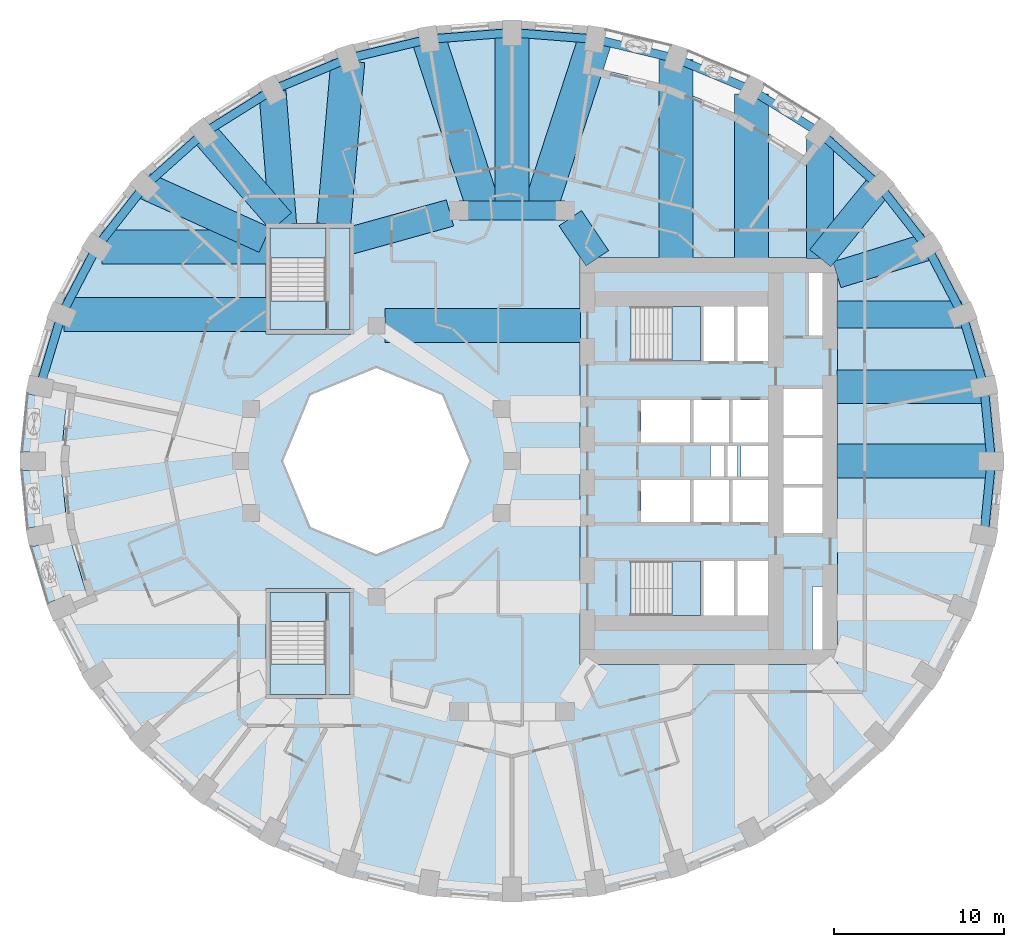
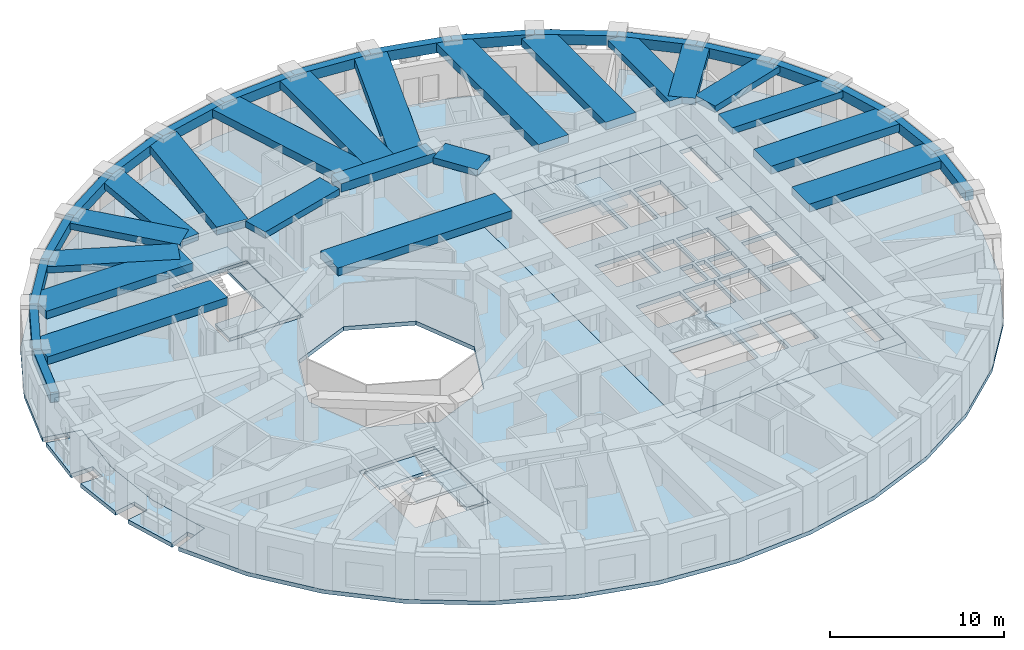
# One storey, part 2 of 14: 39 beams, 11 slabs, 4 elements without a shape of their own.
"""IFC4 building model written with IfcOpenShell, lengths in metres."""

import ifcopenshell
import ifcopenshell.guid

model = None  # the IFC model being written
_history = None  # IfcOwnerHistory: only IFC2X3 demands one
_inside = {}  # id of a spatial element -> (the spatial element, [elements in it])
_under = {}  # id of a project, library or spatial element -> (it, [spatial elements below it])
_declared = {}  # id of a project -> (the project, [libraries it declares])
_typed = {}  # id of a type object -> (the type object, [elements of that type])
_made_of = {}  # id of a material, layer set ... -> (it, [elements and type objects made of it])


def new_model(schema):
    """Start an empty IFC model of exactly this schema.

    Asked for "IFC4X3", IfcOpenShell would pick the latest addendum, in which some entities
    have other attributes; the version numbers below select the first issue.
    IFC2X3 requires an IfcOwnerHistory on every rooted entity: one is made here for all.
    """
    global model, _history
    if schema == "IFC4X3":
        model = ifcopenshell.file(schema_version=(4, 3, 0, 0))
    else:
        model = ifcopenshell.file(schema=schema)
    _inside.clear()
    _under.clear()
    _declared.clear()
    _typed.clear()
    _made_of.clear()
    _history = None
    if model.schema == "IFC2X3":
        org = make("IfcOrganization", Name="unknown")
        user = make(
            "IfcPersonAndOrganization",
            ThePerson=make("IfcPerson", FamilyName="unknown"),
            TheOrganization=org,
        )
        app = make(
            "IfcApplication",
            ApplicationDeveloper=org,
            Version="unknown",
            ApplicationFullName="unknown",
            ApplicationIdentifier="unknown",
        )
        _history = make(
            "IfcOwnerHistory",
            OwningUser=user,
            OwningApplication=app,
            ChangeAction="ADDED",
            CreationDate=0,
        )
    return model


def make(cls, **values):
    """One entity of the class cls with the attributes given. An attribute that is None is left unset."""
    return model.create_entity(
        cls, **{name: value for name, value in values.items() if value is not None}
    )


def rooted(cls, **values):
    """An entity with a GlobalId (a new one), such as an element, a storey or a relation."""
    return make(cls, GlobalId=ifcopenshell.guid.new(), OwnerHistory=_history, **values)


def si_unit(unit_type, name, prefix=None):
    """IfcSIUnit, for example si_unit("LENGTHUNIT", "METRE", prefix="MILLI")."""
    return make("IfcSIUnit", UnitType=unit_type, Prefix=prefix, Name=name)


def assignment(units):
    """IfcUnitAssignment: the units of a project."""
    return None if units is None else make("IfcUnitAssignment", Units=units)


def point(xyz):
    """IfcCartesianPoint."""
    return None if xyz is None else make("IfcCartesianPoint", Coordinates=xyz)


def direction(xyz):
    """IfcDirection."""
    return None if xyz is None else make("IfcDirection", DirectionRatios=xyz)


def frame(location, z_axis=None, x_axis=None):
    """IfcAxis2Placement3D, a coordinate frame: its origin and axes. An axis left out is left unset."""
    return make(
        "IfcAxis2Placement3D",
        Location=point(location),
        Axis=direction(z_axis),
        RefDirection=direction(x_axis),
    )


def frame_2d(location, x_axis=None):
    """IfcAxis2Placement2D, a coordinate frame in the plane: its origin and x axis."""
    return make(
        "IfcAxis2Placement2D", Location=point(location), RefDirection=direction(x_axis)
    )


def origin():
    """The frame at (0, 0, 0) with its axes left unset."""
    return frame((0.0, 0.0, 0.0))


def origin_2d():
    """The frame at (0, 0) in the plane with its x axis left unset."""
    return frame_2d((0.0, 0.0))


def place(relative_to, where):
    """IfcLocalPlacement: puts the frame where relative to a parent placement (None: the world)."""
    return make(
        "IfcLocalPlacement", PlacementRelTo=relative_to, RelativePlacement=where
    )


def context(
    kind, dimensions, precision=None, world=None, true_north=None, identifier=None
):
    """IfcGeometricRepresentationContext, for example the 3D "Model" context."""
    return make(
        "IfcGeometricRepresentationContext",
        ContextIdentifier=identifier,
        ContextType=kind,
        CoordinateSpaceDimension=dimensions,
        Precision=precision,
        WorldCoordinateSystem=world,
        TrueNorth=true_north,
    )


def subcontext(parent, identifier, kind, view, scale=None):
    """IfcGeometricRepresentationSubContext, for example "Body" below "Model"."""
    return make(
        "IfcGeometricRepresentationSubContext",
        ContextIdentifier=identifier,
        ContextType=kind,
        ParentContext=parent,
        TargetScale=scale,
        TargetView=view,
    )


def project(units=None, contexts=None):
    """IfcProject with its units and contexts."""
    return rooted(
        "IfcProject",
        Name="project",
        RepresentationContexts=contexts,
        UnitsInContext=assignment(units),
    )


def spatial(cls, under=None, at=None, **own):
    """A site, building, storey or space (cls), placed at a placement, below another one or the project."""
    s = rooted(cls, ObjectPlacement=at, **own)
    if under is not None:
        _under.setdefault(under.id(), (under, []))[1].append(s)
    return s


def polyline(points):
    """IfcPolyline through the points."""
    return make("IfcPolyline", Points=[point(p) for p in points])


def profile(cls, at=None, kind="AREA", **sizes):
    """A parametric profile (cls). Its sizes go by their IFC names, for example OverallWidth=200.0."""
    return make(cls, ProfileType=kind, Position=at, **sizes)


def rectangle(**sizes):
    """IfcRectangleProfileDef."""
    return profile("IfcRectangleProfileDef", **sizes)


def outline(outer, holes=None, kind="AREA"):
    """IfcArbitraryClosedProfileDef: a profile drawn as a closed curve; with holes, ...WithVoids."""
    if holes is None:
        return make("IfcArbitraryClosedProfileDef", ProfileType=kind, OuterCurve=outer)
    return make(
        "IfcArbitraryProfileDefWithVoids",
        ProfileType=kind,
        OuterCurve=outer,
        InnerCurves=holes,
    )


def extrude(swept, where, along, depth):
    """IfcExtrudedAreaSolid: the profile swept, set in the frame where, extruded along a direction by depth."""
    return make(
        "IfcExtrudedAreaSolid",
        SweptArea=swept,
        Position=where,
        ExtrudedDirection=direction(along),
        Depth=depth,
    )


def shape(context_of_items, identifier, shape_type, items):
    """IfcShapeRepresentation: the items that make up one representation, for example the "Body"."""
    return make(
        "IfcShapeRepresentation",
        ContextOfItems=context_of_items,
        RepresentationIdentifier=identifier,
        RepresentationType=shape_type,
        Items=items,
    )


def material(Name=None, Category=None):
    """IfcMaterial."""
    return make("IfcMaterial", Name=Name, Category=Category)


def layer(
    of_material, thickness, ventilated=None, Name=None, Category=None, Priority=None
):
    """IfcMaterialLayer: one layer of a wall or slab, of a material (None: an air gap)."""
    return make(
        "IfcMaterialLayer",
        Material=of_material,
        LayerThickness=thickness,
        IsVentilated=ventilated,
        Name=Name,
        Category=Category,
        Priority=Priority,
    )


def layer_set(layers, Name=None):
    """IfcMaterialLayerSet."""
    return make("IfcMaterialLayerSet", MaterialLayers=layers, LayerSetName=Name)


def material_profile(
    of_material, cross_section, Name=None, Category=None, Priority=None
):
    """IfcMaterialProfile: a cross section and its material."""
    return make(
        "IfcMaterialProfile",
        Name=Name,
        Material=of_material,
        Profile=cross_section,
        Priority=Priority,
        Category=Category,
    )


def profile_set(profiles, Name=None, composite=None):
    """IfcMaterialProfileSet."""
    return make(
        "IfcMaterialProfileSet",
        Name=Name,
        MaterialProfiles=profiles,
        CompositeProfile=composite,
    )


def made_of(thing, what):
    """Note that an element or type object is made of a material, layer set ...; save() writes the relation."""
    if what is not None:
        _made_of.setdefault(what.id(), (what, []))[1].append(thing)
    return thing


def type_object(cls, material=None, **own):
    """A type object (cls), such as IfcWallType, which elements share."""
    return made_of(rooted(cls, **own), material)


def element(
    cls,
    number,
    at=None,
    inside=None,
    cuts=None,
    type_object=None,
    material=None,
    context=None,
    identifier="Body",
    shape_type=None,
    held_by="IfcProductDefinitionShape",
    body=None,
    shapes=None,
    **own,
):
    """One element of the class cls, such as IfcWall. Its Tag is "e" and its number.

    at: its placement. inside: the storey or other place that contains it. cuts: it is an
    opening in that element (IfcRelVoidsElement). A single representation is given by context,
    identifier, shape_type and body (its items); several are given by shapes. held_by: the class
    of the entity that holds the representations. save() writes the other relations.
    """
    e = rooted(cls, Tag="e%d" % number, ObjectPlacement=at, **own)
    if body is not None:
        shapes = [shape(context, identifier, shape_type, body)]
    if shapes is not None:
        e.Representation = make(held_by, Representations=shapes)
    if inside is not None:
        _inside.setdefault(inside.id(), (inside, []))[1].append(e)
    if cuts is not None:
        rooted(
            "IfcRelVoidsElement", RelatingBuildingElement=cuts, RelatedOpeningElement=e
        )
    if type_object is not None:
        _typed.setdefault(type_object.id(), (type_object, []))[1].append(e)
    return made_of(e, material)


def aggregate(whole, parts):
    """IfcRelAggregates: a whole, such as a stair, and the parts it consists of."""
    return rooted("IfcRelAggregates", RelatingObject=whole, RelatedObjects=parts)


def save(model, path):
    """Write the relations noted so far, then the file.

    IfcRelAggregates (storeys below a building ...), IfcRelContainedInSpatialStructure (elements
    in a storey), IfcRelDefinesByType, IfcRelAssociatesMaterial and IfcRelDeclares: one each for
    every whole, place, type object, material and project.
    """
    for whole, parts in _under.values():
        aggregate(whole, parts)
    for where, things in _inside.values():
        rooted(
            "IfcRelContainedInSpatialStructure",
            RelatedElements=things,
            RelatingStructure=where,
        )
    for kind, things in _typed.values():
        rooted("IfcRelDefinesByType", RelatedObjects=things, RelatingType=kind)
    for what, things in _made_of.values():
        rooted("IfcRelAssociatesMaterial", RelatedObjects=things, RelatingMaterial=what)
    for by, libraries in _declared.values():
        rooted("IfcRelDeclares", RelatingContext=by, RelatedDefinitions=libraries)
    model.write(path)


model = new_model("IFC4")

# Units and contexts
model_context = context("Model", 3, precision=1e-05, world=origin(), true_north=direction((0.0, 1.0)))
body_context = subcontext(model_context, "Body", "Model", "MODEL_VIEW")
ifc_project = project(units=[si_unit("LENGTHUNIT", "METRE"), si_unit("AREAUNIT", "SQUARE_METRE"), si_unit("VOLUMEUNIT", "CUBIC_METRE"), si_unit("PLANEANGLEUNIT", "RADIAN"), si_unit("MASSUNIT", "GRAM", prefix="KILO")], contexts=[model_context])

# Site, building, storey
site_placement = place(None, origin())
site = spatial("IfcSite", under=ifc_project, at=site_placement, CompositionType="ELEMENT")
building_placement = place(site_placement, origin())
building = spatial("IfcBuilding", under=site, at=building_placement, Name="Taillehof Tower", CompositionType="ELEMENT")
storey_placement = place(building_placement, frame((0.0, 0.0, 28.300048828125)))
storey = spatial("IfcBuildingStorey", under=building, at=storey_placement, Name="L06", CompositionType="ELEMENT", Elevation=28.300048828125)

# Beams
ifc_material_1 = material(Name="Concrete C50/60", Category="concrete")
ifc_material_profile_1 = material_profile(ifc_material_1, rectangle(XDim=1.10009765625, YDim=0.60009765625, at=origin_2d()), Name="RC 1100x600")
ifc_profile_set_1 = profile_set([ifc_material_profile_1], Name="Concrete C50/60")
beam_type_1 = type_object("IfcBeamType", Name="Mid-ring beam C50/60 1100x600", PredefinedType="BEAM", material=ifc_profile_set_1)
beam_1_placement = place(storey_placement, frame((3.125732421875, 14.772216796875, 2.719970703125), z_axis=(-1.0, 0.0, 0.0), x_axis=(0.0, -1.0, 0.0)))
element("IfcBeam", 1, at=beam_1_placement, inside=storey, type_object=beam_type_1, Name="Mid-ring beam MB01", PredefinedType="BEAM", context=body_context, shape_type="SweptSolid", body=[
    extrude(rectangle(XDim=1.10009765625, YDim=0.60009765625, at=origin_2d()), origin(), (0.0, 0.0, 1.0), 6.25146484375),
])
ifc_material_2 = material(Name="Concrete C50/60", Category="concrete")
ifc_material_profile_2 = material_profile(ifc_material_2, rectangle(XDim=1.60009765625, YDim=0.449951171875, at=origin_2d()), Name="RC 1600x450")
ifc_profile_set_2 = profile_set([ifc_material_profile_2], Name="Concrete C50/60")
beam_type_2 = type_object("IfcBeamType", Name="Radial band beam C50/60 1600x450", PredefinedType="BEAM", material=ifc_profile_set_2)
beam_2_placement = place(storey_placement, frame((26.490478515625, 8.635986328125, 2.794921875), z_axis=(-1.0, 0.0, 0.0), x_axis=(0.0, -1.0, 0.0)))
element("IfcBeam", 2, at=beam_2_placement, inside=storey, type_object=beam_type_2, Name="Radial band beam RB03", PredefinedType="BEAM", context=body_context, shape_type="SweptSolid", body=[
    extrude(rectangle(XDim=1.60009765625, YDim=0.449951171875, at=origin_2d()), origin(), (0.0, 0.0, 1.0), 7.340576171875),
])
beam_3_placement = place(storey_placement, frame((24.46533203125, 12.625, 2.794921875), z_axis=(-0.955535654338, -0.294875589511, 0.0), x_axis=(0.294875589511, -0.955535654338, 0.0)))
element("IfcBeam", 3, at=beam_3_placement, inside=storey, type_object=beam_type_2, Name="Radial band beam RB04", PredefinedType="BEAM", context=body_context, shape_type="SweptSolid", body=[
    extrude(rectangle(XDim=1.60009765625, YDim=0.449951171875, at=origin_2d()), origin(), (0.0, 0.0, 1.0), 5.560546875),
])
beam_4_placement = place(storey_placement, frame((21.640869140625, 16.23046875, 2.794921875), z_axis=(-0.630988373846, -0.775792286679, 0.0), x_axis=(0.775792286679, -0.630988373846, 0.0)))
element("IfcBeam", 4, at=beam_4_placement, inside=storey, type_object=beam_type_2, Name="Radial band beam RB05", PredefinedType="BEAM", context=body_context, shape_type="SweptSolid", body=[
    extrude(rectangle(XDim=1.60009765625, YDim=0.449951171875, at=origin_2d()), origin(), (0.0, 0.0, 1.0), 5.503173828125),
])
beam_5_placement = place(storey_placement, frame((18.15869140625, 19.05517578125, 2.794921875), z_axis=(0.0, -1.0, 0.0), x_axis=(1.0, 0.0, 0.0)))
element("IfcBeam", 5, at=beam_5_placement, inside=storey, type_object=beam_type_2, Name="Radial band beam RB06", PredefinedType="BEAM", context=body_context, shape_type="SweptSolid", body=[
    extrude(rectangle(XDim=1.60009765625, YDim=0.449951171875, at=origin_2d()), origin(), (0.0, 0.0, 1.0), 7.105224609375),
])
beam_6_placement = place(storey_placement, frame((-14.119873046875, 21.802978515625, 2.794921875), z_axis=(0.079184740988, -0.996859958467, 0.0), x_axis=(0.996859958467, 0.079184740988, 0.0)))
element("IfcBeam", 6, at=beam_6_placement, inside=storey, type_object=beam_type_2, Name="Radial band beam RB13", PredefinedType="BEAM", context=body_context, shape_type="SweptSolid", body=[
    extrude(rectangle(XDim=1.60009765625, YDim=0.449951171875, at=origin_2d()), origin(), (0.0, 0.0, 1.0), 7.87744140625),
])
beam_7_placement = place(storey_placement, frame((-18.15869140625, 19.342529296875, 2.794921875), z_axis=(0.65721824087, -0.753700327628, 0.0), x_axis=(0.753700327628, 0.65721824087, 0.0)))
element("IfcBeam", 7, at=beam_7_placement, inside=storey, type_object=beam_type_2, Name="Radial band beam RB14", PredefinedType="BEAM", context=body_context, shape_type="SweptSolid", body=[
    extrude(rectangle(XDim=1.60009765625, YDim=0.449951171875, at=origin_2d()), origin(), (0.0, 0.0, 1.0), 6.9384765625),
])
beam_8_placement = place(storey_placement, frame((-21.632568359375, 16.226806640625, 2.794921875), z_axis=(0.911100590789, -0.412184077161, 0.0), x_axis=(0.412184077161, 0.911100590789, 0.0)))
element("IfcBeam", 8, at=beam_8_placement, inside=storey, type_object=beam_type_2, Name="Radial band beam RB15", PredefinedType="BEAM", context=body_context, shape_type="SweptSolid", body=[
    extrude(rectangle(XDim=1.60009765625, YDim=0.449951171875, at=origin_2d()), origin(), (0.0, 0.0, 1.0), 7.740966796875),
])
beam_9_placement = place(storey_placement, frame((3.433837890625, 14.31640625, 2.794921875), z_axis=(0.560112043398, -0.828416862962, 0.0), x_axis=(0.828416862962, 0.560112043398, 0.0)))
element("IfcBeam", 9, at=beam_9_placement, inside=storey, type_object=beam_type_2, Name="Inner band beam IB205", PredefinedType="BEAM", context=body_context, shape_type="SweptSolid", body=[
    extrude(rectangle(XDim=1.60009765625, YDim=0.449951171875, at=origin_2d()), origin(), (0.0, 0.0, 1.0), 2.84619140625),
])
beam_10_placement = place(storey_placement, frame((-3.655517578125, 14.624755859375, 2.794921875), z_axis=(-0.963459369536, -0.267854518821, 0.0), x_axis=(0.267854518821, -0.963459369536, 0.0)))
element("IfcBeam", 10, at=beam_10_placement, inside=storey, type_object=beam_type_2, Name="Inner band beam IB206", PredefinedType="BEAM", context=body_context, shape_type="SweptSolid", body=[
    extrude(rectangle(XDim=1.60009765625, YDim=0.449951171875, at=origin_2d()), origin(), (0.0, 0.0, 1.0), 6.096923828125),
])
ifc_material_3 = material(Name="Concrete C50/60", Category="concrete")
ifc_material_profile_3 = material_profile(ifc_material_3, rectangle(XDim=2.0, YDim=0.550048828125, at=origin_2d()), Name="RC 2000x550")
ifc_profile_set_3 = profile_set([ifc_material_profile_3], Name="Concrete C50/60")
beam_type_3 = type_object("IfcBeamType", Name="Radial band beam C50/60 2000x550", PredefinedType="BEAM", material=ifc_profile_set_3)
beam_11_placement = place(storey_placement, frame((28.25, 0.0, 2.744873046875), z_axis=(-1.0, 0.0, 0.0), x_axis=(0.0, -1.0, 0.0)))
element("IfcBeam", 11, at=beam_11_placement, inside=storey, type_object=beam_type_3, Name="Radial band beam RB01", PredefinedType="BEAM", context=body_context, shape_type="SweptSolid", body=[
    extrude(rectangle(XDim=2.0, YDim=0.550048828125, at=origin_2d()), origin(), (0.0, 0.0, 1.0), 9.10009765625),
])
beam_12_placement = place(storey_placement, frame((27.82080078125, 4.384521484375, 2.744873046875), z_axis=(-1.0, 0.0, 0.0), x_axis=(0.0, -1.0, 0.0)))
element("IfcBeam", 12, at=beam_12_placement, inside=storey, type_object=beam_type_3, Name="Radial band beam RB02", PredefinedType="BEAM", context=body_context, shape_type="SweptSolid", body=[
    extrude(rectangle(XDim=2.0, YDim=0.550048828125, at=origin_2d()), origin(), (0.0, 0.0, 1.0), 8.6708984375),
])
beam_13_placement = place(storey_placement, frame((14.125, 21.63232421875, 2.744873046875), z_axis=(0.0, -1.0, 0.0), x_axis=(1.0, 0.0, 0.0)))
element("IfcBeam", 13, at=beam_13_placement, inside=storey, type_object=beam_type_3, Name="Radial band beam RB07", PredefinedType="BEAM", context=body_context, shape_type="SweptSolid", body=[
    extrude(rectangle(XDim=2.0, YDim=0.550048828125, at=origin_2d()), origin(), (0.0, 0.0, 1.0), 9.682373046875),
])
beam_14_placement = place(storey_placement, frame((9.662109375, 23.664794921875, 2.744873046875), z_axis=(0.0, -1.0, 0.0), x_axis=(1.0, 0.0, 0.0)))
element("IfcBeam", 14, at=beam_14_placement, inside=storey, type_object=beam_type_3, Name="Radial band beam RB08", PredefinedType="BEAM", context=body_context, shape_type="SweptSolid", body=[
    extrude(rectangle(XDim=2.0, YDim=0.550048828125, at=origin_2d()), origin(), (0.0, 0.0, 1.0), 11.71484375),
])
beam_15_placement = place(storey_placement, frame((4.905517578125, 24.866455078125, 2.744873046875), z_axis=(-0.309014294595, -0.951057393503, 0.0), x_axis=(0.951057393503, -0.309014294595, 0.0)))
element("IfcBeam", 15, at=beam_15_placement, inside=storey, type_object=beam_type_3, Name="Radial band beam RB09", PredefinedType="BEAM", context=body_context, shape_type="SweptSolid", body=[
    extrude(rectangle(XDim=2.0, YDim=0.550048828125, at=origin_2d()), origin(), (0.0, 0.0, 1.0), 10.61376953125),
])
beam_16_placement = place(storey_placement, frame((0.0, 25.25, 2.744873046875), z_axis=(0.0, -1.0, 0.0), x_axis=(1.0, 0.0, 0.0)))
element("IfcBeam", 16, at=beam_16_placement, inside=storey, type_object=beam_type_3, Name="Radial band beam RB10", PredefinedType="BEAM", context=body_context, shape_type="SweptSolid", body=[
    extrude(rectangle(XDim=2.0, YDim=0.550048828125, at=origin_2d()), origin(), (0.0, 0.0, 1.0), 10.477783203125),
])
beam_17_placement = place(storey_placement, frame((-4.905517578125, 24.866455078125, 2.744873046875), z_axis=(0.309014294595, -0.951057393503, 0.0), x_axis=(0.951057393503, 0.309014294595, 0.0)))
element("IfcBeam", 17, at=beam_17_placement, inside=storey, type_object=beam_type_3, Name="Radial band beam RB11", PredefinedType="BEAM", context=body_context, shape_type="SweptSolid", body=[
    extrude(rectangle(XDim=2.0, YDim=0.550048828125, at=origin_2d()), origin(), (0.0, 0.0, 1.0), 10.61376953125),
])
beam_18_placement = place(storey_placement, frame((-9.675048828125, 23.575927734375, 2.744873046875), z_axis=(-0.085841202752, -0.996308831593, 0.0), x_axis=(0.996308831593, -0.085841202752, 0.0)))
element("IfcBeam", 18, at=beam_18_placement, inside=storey, type_object=beam_type_3, Name="Radial band beam RB12", PredefinedType="BEAM", context=body_context, shape_type="SweptSolid", body=[
    extrude(rectangle(XDim=2.0, YDim=0.550048828125, at=origin_2d()), origin(), (0.0, 0.0, 1.0), 9.661376953125),
])
beam_19_placement = place(storey_placement, frame((-24.172607421875, 12.625, 2.744873046875), z_axis=(1.0, 0.0, 0.0), x_axis=(0.0, 1.0, 0.0)))
element("IfcBeam", 19, at=beam_19_placement, inside=storey, type_object=beam_type_3, Name="Radial band beam RB16", PredefinedType="BEAM", context=body_context, shape_type="SweptSolid", body=[
    extrude(rectangle(XDim=2.0, YDim=0.550048828125, at=origin_2d()), origin(), (0.0, 0.0, 1.0), 9.72265625),
])
beam_20_placement = place(storey_placement, frame((-26.408935546875, 8.635986328125, 2.744873046875), z_axis=(1.0, 0.0, 0.0), x_axis=(0.0, 1.0, 0.0)))
element("IfcBeam", 20, at=beam_20_placement, inside=storey, type_object=beam_type_3, Name="Radial band beam RB17", PredefinedType="BEAM", context=body_context, shape_type="SweptSolid", body=[
    extrude(rectangle(XDim=2.0, YDim=0.550048828125, at=origin_2d()), origin(), (0.0, 0.0, 1.0), 11.958984375),
])
beam_21_placement = place(storey_placement, frame((-7.5, 8.0, 2.744873046875), z_axis=(1.0, 0.0, 0.0), x_axis=(0.0, 1.0, 0.0)))
element("IfcBeam", 21, at=beam_21_placement, inside=storey, type_object=beam_type_3, Name="Inner band beam IB105", PredefinedType="BEAM", context=body_context, shape_type="SweptSolid", body=[
    extrude(rectangle(XDim=2.0, YDim=0.550048828125, at=origin_2d()), origin(), (0.0, 0.0, 1.0), 11.550048828125),
])
ifc_material_4 = material(Name="Concrete C50/60", Category="concrete")
ifc_material_profile_4 = material_profile(ifc_material_4, rectangle(XDim=0.5, YDim=0.699951171875, at=origin_2d()), Name="RC 500x700")
ifc_profile_set_4 = profile_set([ifc_material_profile_4], Name="Concrete C50/60")
beam_type_4 = type_object("IfcBeamType", Name="Spandrel beam C50/60 500x700", PredefinedType="SPANDREL", material=ifc_profile_set_4)
beam_22_placement = place(storey_placement, frame((28.25, 0.0, 2.669921875), z_axis=(-0.097423973567, 0.99524297002, 0.0), x_axis=(-0.99524297002, -0.097423973567, 0.0)))
element("IfcBeam", 22, at=beam_22_placement, inside=storey, type_object=beam_type_4, Name="Spandrel beam SB01", PredefinedType="SPANDREL", context=body_context, shape_type="SweptSolid", body=[
    extrude(rectangle(XDim=0.5, YDim=0.699951171875, at=origin_2d()), origin(), (0.0, 0.0, 1.0), 4.405517578125),
])
beam_23_placement = place(storey_placement, frame((27.82080078125, 4.384521484375, 2.669921875), z_axis=(-0.287135925407, 0.957889847707, 0.0), x_axis=(-0.957889847707, -0.287135925407, 0.0)))
element("IfcBeam", 23, at=beam_23_placement, inside=storey, type_object=beam_type_4, Name="Spandrel beam SB02", PredefinedType="SPANDREL", context=body_context, shape_type="SweptSolid", body=[
    extrude(rectangle(XDim=0.5, YDim=0.699951171875, at=origin_2d()), origin(), (0.0, 0.0, 1.0), 4.4384765625),
])
beam_24_placement = place(storey_placement, frame((26.54638671875, 8.635986328125, 2.669921875), z_axis=(-0.462536335232, 0.886600326297, 0.0), x_axis=(-0.886600326297, -0.462536335232, 0.0)))
element("IfcBeam", 24, at=beam_24_placement, inside=storey, type_object=beam_type_4, Name="Spandrel beam SB03", PredefinedType="SPANDREL", context=body_context, shape_type="SweptSolid", body=[
    extrude(rectangle(XDim=0.5, YDim=0.699951171875, at=origin_2d()), origin(), (0.0, 0.0, 1.0), 4.499267578125),
])
beam_25_placement = place(storey_placement, frame((24.46533203125, 12.625, 2.669921875), z_axis=(-0.616686200373, 0.787209076593, 0.0), x_axis=(-0.787209076593, -0.616686200373, 0.0)))
element("IfcBeam", 25, at=beam_25_placement, inside=storey, type_object=beam_type_4, Name="Spandrel beam SB04", PredefinedType="SPANDREL", context=body_context, shape_type="SweptSolid", body=[
    extrude(rectangle(XDim=0.5, YDim=0.699951171875, at=origin_2d()), origin(), (0.0, 0.0, 1.0), 4.580078125),
])
beam_26_placement = place(storey_placement, frame((21.640869140625, 16.23046875, 2.669921875), z_axis=(-0.745621283614, 0.666369943366, 0.0), x_axis=(-0.666369943366, -0.745621283614, 0.0)))
element("IfcBeam", 26, at=beam_26_placement, inside=storey, type_object=beam_type_4, Name="Spandrel beam SB05", PredefinedType="SPANDREL", context=body_context, shape_type="SweptSolid", body=[
    extrude(rectangle(XDim=0.5, YDim=0.699951171875, at=origin_2d()), origin(), (0.0, 0.0, 1.0), 4.670166015625),
])
beam_27_placement = place(storey_placement, frame((18.15869140625, 19.342529296875, 2.669921875), z_axis=(-0.847658018883, 0.530543007703, 0.0), x_axis=(-0.530543007703, -0.847658018883, 0.0)))
element("IfcBeam", 27, at=beam_27_placement, inside=storey, type_object=beam_type_4, Name="Spandrel beam SB06", PredefinedType="SPANDREL", context=body_context, shape_type="SweptSolid", body=[
    extrude(rectangle(XDim=0.5, YDim=0.699951171875, at=origin_2d()), origin(), (0.0, 0.0, 1.0), 4.758544921875),
])
beam_28_placement = place(storey_placement, frame((14.125, 21.8671875, 2.669921875), z_axis=(-0.923035088053, 0.384715773297, 0.0), x_axis=(-0.384715773297, -0.923035088053, 0.0)))
element("IfcBeam", 28, at=beam_28_placement, inside=storey, type_object=beam_type_4, Name="Spandrel beam SB07", PredefinedType="SPANDREL", context=body_context, shape_type="SweptSolid", body=[
    extrude(rectangle(XDim=0.5, YDim=0.699951171875, at=origin_2d()), origin(), (0.0, 0.0, 1.0), 4.8349609375),
])
beam_29_placement = place(storey_placement, frame((9.662109375, 23.727294921875, 2.669921875), z_axis=(-0.9724995553, 0.232904733616, 0.0), x_axis=(-0.232904733616, -0.9724995553, 0.0)))
element("IfcBeam", 29, at=beam_29_placement, inside=storey, type_object=beam_type_4, Name="Spandrel beam SB08", PredefinedType="SPANDREL", context=body_context, shape_type="SweptSolid", body=[
    extrude(rectangle(XDim=0.5, YDim=0.699951171875, at=origin_2d()), origin(), (0.0, 0.0, 1.0), 4.89111328125),
])
for number, where, z_axis, x_axis, name in (
    (30, (4.905517578125, 24.866455078125, 2.669921875), (-0.996957383661, 0.077948541767, 0.0), (-0.077948541767, -0.996957383661, 0.0), "Spandrel beam SB09"),
    (31, (0.0, 25.25, 2.669921875), (-0.996957383661, -0.077948541767, 0.0), (0.077948541767, -0.996957383661, 0.0), "Spandrel beam SB10"),
):
    element("IfcBeam", number, at=place(storey_placement, frame(where, z_axis=z_axis, x_axis=x_axis)), inside=storey, type_object=beam_type_4, Name=name, PredefinedType="SPANDREL", context=body_context, shape_type="SweptSolid", body=[
        extrude(rectangle(XDim=0.5, YDim=0.699951171875, at=origin_2d()), origin(), (0.0, 0.0, 1.0), 4.92041015625),
    ])
beam_30_placement = place(storey_placement, frame((-4.905517578125, 24.866455078125, 2.669921875), z_axis=(-0.9724995553, -0.232904733616, 0.0), x_axis=(0.232904733616, -0.9724995553, 0.0)))
element("IfcBeam", 32, at=beam_30_placement, inside=storey, type_object=beam_type_4, Name="Spandrel beam SB11", PredefinedType="SPANDREL", context=body_context, shape_type="SweptSolid", body=[
    extrude(rectangle(XDim=0.5, YDim=0.699951171875, at=origin_2d()), origin(), (0.0, 0.0, 1.0), 4.89111328125),
])
beam_31_placement = place(storey_placement, frame((-9.662109375, 23.727294921875, 2.669921875), z_axis=(-0.923035088053, -0.384715773297, 0.0), x_axis=(0.384715773297, -0.923035088053, 0.0)))
element("IfcBeam", 33, at=beam_31_placement, inside=storey, type_object=beam_type_4, Name="Spandrel beam SB12", PredefinedType="SPANDREL", context=body_context, shape_type="SweptSolid", body=[
    extrude(rectangle(XDim=0.5, YDim=0.699951171875, at=origin_2d()), origin(), (0.0, 0.0, 1.0), 4.8349609375),
])
beam_32_placement = place(storey_placement, frame((-14.125, 21.8671875, 2.669921875), z_axis=(-0.847658018883, -0.530543007703, 0.0), x_axis=(0.530543007703, -0.847658018883, 0.0)))
element("IfcBeam", 34, at=beam_32_placement, inside=storey, type_object=beam_type_4, Name="Spandrel beam SB13", PredefinedType="SPANDREL", context=body_context, shape_type="SweptSolid", body=[
    extrude(rectangle(XDim=0.5, YDim=0.699951171875, at=origin_2d()), origin(), (0.0, 0.0, 1.0), 4.758544921875),
])
beam_33_placement = place(storey_placement, frame((-18.15869140625, 19.342529296875, 2.669921875), z_axis=(-0.745621283614, -0.666369943366, 0.0), x_axis=(0.666369943366, -0.745621283614, 0.0)))
element("IfcBeam", 35, at=beam_33_placement, inside=storey, type_object=beam_type_4, Name="Spandrel beam SB14", PredefinedType="SPANDREL", context=body_context, shape_type="SweptSolid", body=[
    extrude(rectangle(XDim=0.5, YDim=0.699951171875, at=origin_2d()), origin(), (0.0, 0.0, 1.0), 4.670166015625),
])
beam_34_placement = place(storey_placement, frame((-21.640869140625, 16.23046875, 2.669921875), z_axis=(-0.616686200373, -0.787209076593, 0.0), x_axis=(0.787209076593, -0.616686200373, 0.0)))
element("IfcBeam", 36, at=beam_34_placement, inside=storey, type_object=beam_type_4, Name="Spandrel beam SB15", PredefinedType="SPANDREL", context=body_context, shape_type="SweptSolid", body=[
    extrude(rectangle(XDim=0.5, YDim=0.699951171875, at=origin_2d()), origin(), (0.0, 0.0, 1.0), 4.580078125),
])
beam_35_placement = place(storey_placement, frame((-24.46533203125, 12.625, 2.669921875), z_axis=(-0.462536335232, -0.886600326297, 0.0), x_axis=(0.886600326297, -0.462536335232, 0.0)))
element("IfcBeam", 37, at=beam_35_placement, inside=storey, type_object=beam_type_4, Name="Spandrel beam SB16", PredefinedType="SPANDREL", context=body_context, shape_type="SweptSolid", body=[
    extrude(rectangle(XDim=0.5, YDim=0.699951171875, at=origin_2d()), origin(), (0.0, 0.0, 1.0), 4.499267578125),
])
beam_36_placement = place(storey_placement, frame((-26.54638671875, 8.635986328125, 2.669921875), z_axis=(-0.287135925407, -0.957889847707, 0.0), x_axis=(0.957889847707, -0.287135925407, 0.0)))
element("IfcBeam", 38, at=beam_36_placement, inside=storey, type_object=beam_type_4, Name="Spandrel beam SB17", PredefinedType="SPANDREL", context=body_context, shape_type="SweptSolid", body=[
    extrude(rectangle(XDim=0.5, YDim=0.699951171875, at=origin_2d()), origin(), (0.0, 0.0, 1.0), 4.4384765625),
])
beam_37_placement = place(storey_placement, frame((27.82080078125, -4.384521484375, 2.669921875), z_axis=(0.097423973567, 0.99524297002, 0.0), x_axis=(-0.99524297002, 0.097423973567, 0.0)))
element("IfcBeam", 39, at=beam_37_placement, inside=storey, type_object=beam_type_4, Name="Spandrel beam SB36", PredefinedType="SPANDREL", context=body_context, shape_type="SweptSolid", body=[
    extrude(rectangle(XDim=0.5, YDim=0.699951171875, at=origin_2d()), origin(), (0.0, 0.0, 1.0), 4.405517578125),
])

# Slabs
ifc_material_5 = material(Name="Concrete C40/50", Category="concrete")
ifc_layer_1 = layer(ifc_material_5, 0.280029296875)
ifc_layer_set_1 = layer_set([ifc_layer_1], Name="Balcony slab 280")
slab_type_1 = type_object("IfcSlabType", Name="Balcony slab 280", PredefinedType="USERDEFINED", material=ifc_layer_set_1)
slab_1_placement = place(storey_placement, frame((0.0, 0.0, -0.280029296875)))
element("IfcSlab", 40, at=slab_1_placement, inside=storey, type_object=slab_type_1, Name="Balcony L06 pocket 5", ObjectType="BALCONY", PredefinedType="USERDEFINED", context=body_context, shape_type="SweptSolid", body=[
    extrude(outline(polyline([(-25.02734375, -7.98974609375), (-25.86181640625, -8.328369140625), (-26.058349609375, -7.84423828125), (-27.4013671875, -8.3896484375), (-28.39697265625, -5.058349609375), (-26.978759765625, -4.779541015625), (-27.191162109375, -3.7001953125), (-28.611572265625, -3.979736328125), (-28.9462890625, -0.550048828125), (-27.5, -0.550048828125), (-27.5, 0.550048828125), (-28.9462890625, 0.550048828125), (-28.611572265625, 3.979736328125), (-27.191162109375, 3.7001953125), (-27.087646484375, 4.225341796875), (-26.20458984375, 4.0517578125), (-26.60009765625, 0.0), (-26.20458984375, -4.0517578125), (-25.02734375, -7.98974609375)])), origin(), (0.0, 0.0, 1.0), 0.280029296875),
])
ifc_material_6 = material(Name="Concrete C40/50", Category="concrete")
ifc_layer_2 = layer(ifc_material_6, 0.280029296875)
ifc_layer_set_2 = layer_set([ifc_layer_2], Name="Core floor slab C40/50 280")
slab_type_2 = type_object("IfcSlabType", Name="Core floor slab C40/50 280", PredefinedType="FLOOR", material=ifc_layer_set_2)
slab_2_placement = place(storey_placement, frame((0.0, 0.0, -0.280029296875)))
element("IfcSlab", 41, at=slab_2_placement, inside=storey, type_object=slab_type_2, Name="Core floor L06", PredefinedType="FLOOR", context=body_context, shape_type="SweptSolid", body=[
    extrude(outline(polyline([(4.0, -12.0), (4.0, 12.0), (19.199951171875, 12.0), (19.199951171875, -12.0), (4.0, -12.0)]), holes=[polyline([(7.00048828125, -9.10009765625), (11.10009765625, -9.10009765625), (11.10009765625, -5.89990234375), (7.00048828125, -5.89990234375), (7.00048828125, -9.10009765625)]), polyline([(13.10009765625, -9.10009765625), (13.10009765625, -5.89990234375), (11.300048828125, -5.89990234375), (11.300048828125, -9.10009765625), (13.10009765625, -9.10009765625)]), polyline([(10.5, -3.60009765625), (10.5, -1.10009765625), (7.60009765625, -1.10009765625), (7.60009765625, -3.60009765625), (10.5, -3.60009765625)]), polyline([(10.699951171875, -3.60009765625), (12.800048828125, -3.60009765625), (12.800048828125, -1.10009765625), (10.699951171875, -1.10009765625), (10.699951171875, -3.60009765625)]), polyline([(11.699951171875, -0.89990234375), (12.5, -0.89990234375), (12.5, 0.89990234375), (11.699951171875, 0.89990234375), (11.699951171875, -0.89990234375)]), polyline([(13.300048828125, -0.89990234375), (13.300048828125, 0.89990234375), (12.699951171875, 0.89990234375), (12.699951171875, -0.89990234375), (13.300048828125, -0.89990234375)]), polyline([(10.5, 1.10009765625), (10.5, 3.60009765625), (7.60009765625, 3.60009765625), (7.60009765625, 1.10009765625), (10.5, 1.10009765625)]), polyline([(12.800048828125, 1.10009765625), (12.800048828125, 3.60009765625), (10.699951171875, 3.60009765625), (10.699951171875, 1.10009765625), (12.800048828125, 1.10009765625)]), polyline([(11.300048828125, 5.89990234375), (13.10009765625, 5.89990234375), (13.10009765625, 9.10009765625), (11.300048828125, 9.10009765625), (11.300048828125, 5.89990234375)]), polyline([(7.00048828125, 5.89990234375), (11.10009765625, 5.89990234375), (11.10009765625, 9.10009765625), (7.00048828125, 9.10009765625), (7.00048828125, 5.89990234375)]), polyline([(18.300048828125, -11.10009765625), (18.300048828125, -7.39990234375), (17.699951171875, -7.39990234375), (17.699951171875, -11.10009765625), (18.300048828125, -11.10009765625)]), polyline([(15.10009765625, -9.10009765625), (15.10009765625, -5.89990234375), (13.300048828125, -5.89990234375), (13.300048828125, -9.10009765625), (15.10009765625, -9.10009765625)]), polyline([(18.300048828125, -4.25), (18.300048828125, -1.550048828125), (16.0, -1.550048828125), (16.0, -4.25), (18.300048828125, -4.25)]), polyline([(13.0, -3.60009765625), (15.10009765625, -3.60009765625), (15.10009765625, -1.10009765625), (13.0, -1.10009765625), (13.0, -3.60009765625)]), polyline([(13.5, -0.89990234375), (15.10009765625, -0.89990234375), (15.10009765625, 0.89990234375), (13.5, 0.89990234375), (13.5, -0.89990234375)]), polyline([(18.300048828125, -1.35009765625), (18.300048828125, 1.35009765625), (16.0, 1.35009765625), (16.0, -1.35009765625), (18.300048828125, -1.35009765625)]), polyline([(15.10009765625, 1.10009765625), (15.10009765625, 3.60009765625), (13.0, 3.60009765625), (13.0, 1.10009765625), (15.10009765625, 1.10009765625)]), polyline([(18.300048828125, 1.550048828125), (18.300048828125, 4.25), (16.0, 4.25), (16.0, 1.550048828125), (18.300048828125, 1.550048828125)]), polyline([(13.300048828125, 5.89990234375), (15.10009765625, 5.89990234375), (15.10009765625, 9.10009765625), (13.300048828125, 9.10009765625), (13.300048828125, 5.89990234375)]), polyline([(17.5, 7.39990234375), (18.300048828125, 7.39990234375), (18.300048828125, 11.10009765625), (17.5, 11.10009765625), (17.5, 7.39990234375)])]), origin(), (0.0, 0.0, 1.0), 0.280029296875),
])
ifc_material_7 = material(Name="Concrete C40/50", Category="concrete")
ifc_layer_3 = layer(ifc_material_7, 0.280029296875)
ifc_layer_set_3 = layer_set([ifc_layer_3], Name="Floor slab 280")
slab_type_3 = type_object("IfcSlabType", Name="Floor slab 280", PredefinedType="FLOOR", material=ifc_layer_set_3)
slab_3_placement = place(storey_placement, frame((0.0, 0.0, -0.280029296875)))
element("IfcSlab", 42, at=slab_3_placement, inside=storey, type_object=slab_type_3, Name="Floor slab L06", PredefinedType="FLOOR", context=body_context, shape_type="SweptSolid", body=[
    extrude(outline(polyline([(29.0, 0.0), (28.559326171875, 4.514892578125), (27.251220703125, 8.892578125), (25.11474609375, 13.0), (22.21533203125, 16.71240234375), (18.640869140625, 19.917236328125), (17.197998046875, 17.999267578125), (13.396728515625, 20.38525390625), (9.174072265625, 22.150390625), (4.660888671875, 23.234375), (5.035888671875, 25.60498046875), (0.0, 26.0), (-5.035888671875, 25.60498046875), (-9.918701171875, 24.431884765625), (-14.5, 22.5166015625), (-18.640869140625, 19.917236328125), (-22.21533203125, 16.71240234375), (-25.11474609375, 13.0), (-27.251220703125, 8.892578125), (-28.559326171875, 4.514892578125), (-26.20458984375, 4.0517578125), (-26.60009765625, 0.0), (-26.20458984375, -4.0517578125), (-25.02734375, -7.98974609375), (-27.251220703125, -8.892578125), (-25.11474609375, -13.0), (-22.21533203125, -16.71240234375), (-18.640869140625, -19.917236328125), (-14.5, -22.5166015625), (-9.918701171875, -24.431884765625), (-5.035888671875, -25.60498046875), (0.0, -26.0), (5.035888671875, -25.60498046875), (9.918701171875, -24.431884765625), (14.5, -22.5166015625), (18.640869140625, -19.917236328125), (22.21533203125, -16.71240234375), (25.11474609375, -13.0), (27.251220703125, -8.892578125), (28.559326171875, -4.514892578125), (29.0, 0.0)]), holes=[polyline([(-14.5, -7.5), (-9.5, -7.5), (-9.5, -14.0), (-14.5, -14.0), (-14.5, -7.5)]), polyline([(-8.0, -5.5), (-11.88916015625, -3.88916015625), (-13.5, 0.0), (-11.88916015625, 3.88916015625), (-8.0, 5.5), (-4.11083984375, 3.88916015625), (-2.5, 0.0), (-4.11083984375, -3.88916015625), (-8.0, -5.5)]), polyline([(19.199951171875, 12.0), (19.199951171875, -12.0), (4.0, -12.0), (4.0, 12.0), (19.199951171875, 12.0)]), polyline([(-14.5, 14.0), (-9.5, 14.0), (-9.5, 7.5), (-14.5, 7.5), (-14.5, 14.0)])]), origin(), (0.0, 0.0, 1.0), 0.280029296875),
])

# Stair, slab
ifc_material_8 = material(Name="Concrete C40/50", Category="concrete")
stair_type = type_object("IfcStairType", Name="Exit stair half-turn", PredefinedType="HALF_TURN_STAIR", material=ifc_material_8)
stair_1_placement = place(storey_placement, origin())
stair_1 = element("IfcStair", 43, at=stair_1_placement, inside=storey, type_object=stair_type, Name="Exit stair S1", PredefinedType="HALF_TURN_STAIR")
ifc_material_9 = material(Name="Concrete C40/50", Category="concrete")
ifc_layer_4 = layer(ifc_material_9, 0.2099609375)
ifc_layer_set_4 = layer_set([ifc_layer_4], Name="Stair landing C40/50 210")
slab_type_4 = type_object("IfcSlabType", Name="Stair landing C40/50 210", PredefinedType="LANDING", material=ifc_layer_set_4)
slab_4_placement = place(storey_placement, frame((0.0, 0.0, 1.43994140625)))
slab_4 = element("IfcSlab", 44, at=slab_4_placement, type_object=slab_type_4, Name="S1 landing 1", PredefinedType="LANDING", context=body_context, shape_type="SweptSolid", body=[
    extrude(outline(polyline([(9.429931640625, 5.89990234375), (11.10009765625, 5.89990234375), (11.10009765625, 9.10009765625), (9.429931640625, 9.10009765625), (9.429931640625, 5.89990234375)])), origin(), (0.0, 0.0, 1.0), 0.2099609375),
])
aggregate(stair_1, [slab_4])

stair_2_placement = place(storey_placement, origin())
stair_2 = element("IfcStair", 45, at=stair_2_placement, inside=storey, type_object=stair_type, Name="Exit stair S2", PredefinedType="HALF_TURN_STAIR")
slab_5_placement = place(storey_placement, frame((0.0, 0.0, 1.43994140625)))
slab_5 = element("IfcSlab", 46, at=slab_5_placement, type_object=slab_type_4, Name="S2 landing 1", PredefinedType="LANDING", context=body_context, shape_type="SweptSolid", body=[
    extrude(outline(polyline([(9.429931640625, -5.89990234375), (11.10009765625, -5.89990234375), (11.10009765625, -9.10009765625), (9.429931640625, -9.10009765625), (9.429931640625, -5.89990234375)])), origin(), (0.0, 0.0, 1.0), 0.2099609375),
])
aggregate(stair_2, [slab_5])

stair_3_placement = place(storey_placement, origin())
stair_3 = element("IfcStair", 47, at=stair_3_placement, inside=storey, type_object=stair_type, Name="Exit stair S3", PredefinedType="HALF_TURN_STAIR")
slab_6_placement = place(storey_placement, frame((0.0, 0.0, 1.43994140625)))
slab_6 = element("IfcSlab", 48, at=slab_6_placement, type_object=slab_type_4, Name="S3 landing 1", PredefinedType="LANDING", context=body_context, shape_type="SweptSolid", body=[
    extrude(outline(polyline([(-14.25, 11.969970703125), (-14.25, 13.75), (-10.949951171875, 13.75), (-10.949951171875, 11.969970703125), (-14.25, 11.969970703125)])), origin(), (0.0, 0.0, 1.0), 0.2099609375),
])
aggregate(stair_3, [slab_6])

stair_4_placement = place(storey_placement, origin())
stair_4 = element("IfcStair", 49, at=stair_4_placement, inside=storey, type_object=stair_type, Name="Exit stair S4", PredefinedType="HALF_TURN_STAIR")
slab_7_placement = place(storey_placement, frame((0.0, 0.0, 1.43994140625)))
slab_7 = element("IfcSlab", 50, at=slab_7_placement, type_object=slab_type_4, Name="S4 landing 1", PredefinedType="LANDING", context=body_context, shape_type="SweptSolid", body=[
    extrude(outline(polyline([(-14.25, -11.969970703125), (-14.25, -13.75), (-10.949951171875, -13.75), (-10.949951171875, -11.969970703125), (-14.25, -11.969970703125)])), origin(), (0.0, 0.0, 1.0), 0.2099609375),
])
aggregate(stair_4, [slab_7])

# Slabs
slab_8_placement = place(storey_placement, frame((0.0, 0.0, -0.2099609375)))
element("IfcSlab", 51, at=slab_8_placement, inside=storey, type_object=slab_type_4, Name="Stair S3 floor landing", PredefinedType="LANDING", context=body_context, shape_type="SweptSolid", body=[
    extrude(outline(polyline([(-14.25, 7.75), (-14.25, 9.449951171875), (-10.949951171875, 9.449951171875), (-10.949951171875, 7.75), (-14.25, 7.75)])), origin(), (0.0, 0.0, 1.0), 0.2099609375),
])
slab_9_placement = place(storey_placement, frame((0.0, 0.0, -0.2099609375)))
element("IfcSlab", 52, at=slab_9_placement, inside=storey, type_object=slab_type_4, Name="Stair lobby S3 floor", PredefinedType="LANDING", context=body_context, shape_type="SweptSolid", body=[
    extrude(outline(polyline([(-10.949951171875, 7.75), (-9.550048828125, 7.75), (-9.550048828125, 13.75), (-10.949951171875, 13.75), (-10.949951171875, 7.75)])), origin(), (0.0, 0.0, 1.0), 0.2099609375),
])
slab_10_placement = place(storey_placement, frame((0.0, 0.0, -0.2099609375)))
element("IfcSlab", 53, at=slab_10_placement, inside=storey, type_object=slab_type_4, Name="Stair S4 floor landing", PredefinedType="LANDING", context=body_context, shape_type="SweptSolid", body=[
    extrude(outline(polyline([(-14.25, -7.75), (-14.25, -9.449951171875), (-10.949951171875, -9.449951171875), (-10.949951171875, -7.75), (-14.25, -7.75)])), origin(), (0.0, 0.0, 1.0), 0.2099609375),
])
slab_11_placement = place(storey_placement, frame((0.0, 0.0, -0.2099609375)))
element("IfcSlab", 54, at=slab_11_placement, inside=storey, type_object=slab_type_4, Name="Stair lobby S4 floor", PredefinedType="LANDING", context=body_context, shape_type="SweptSolid", body=[
    extrude(outline(polyline([(-10.949951171875, -13.75), (-9.550048828125, -13.75), (-9.550048828125, -7.75), (-10.949951171875, -7.75), (-10.949951171875, -13.75)])), origin(), (0.0, 0.0, 1.0), 0.2099609375),
])

save(model, "model.ifc")
